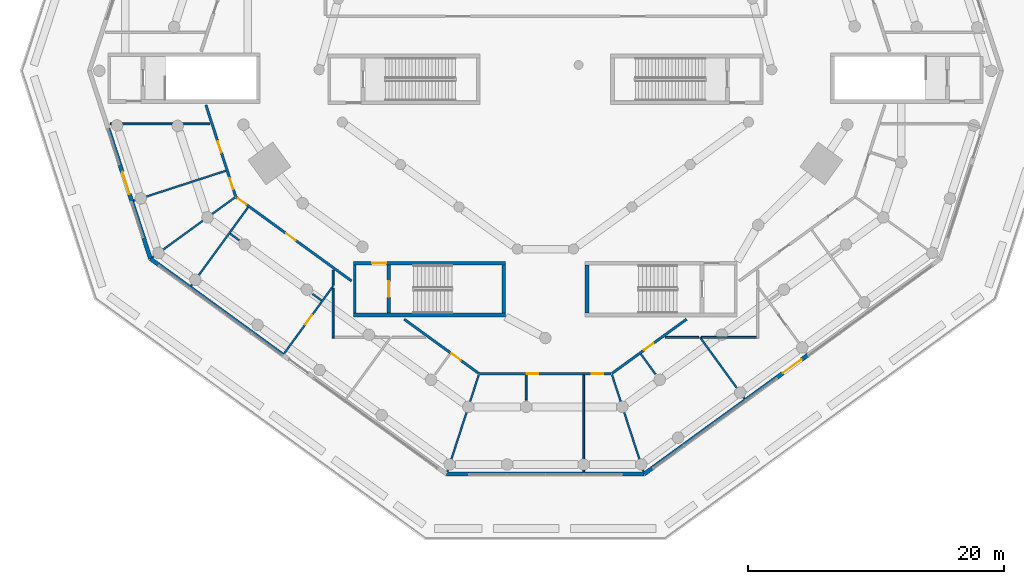
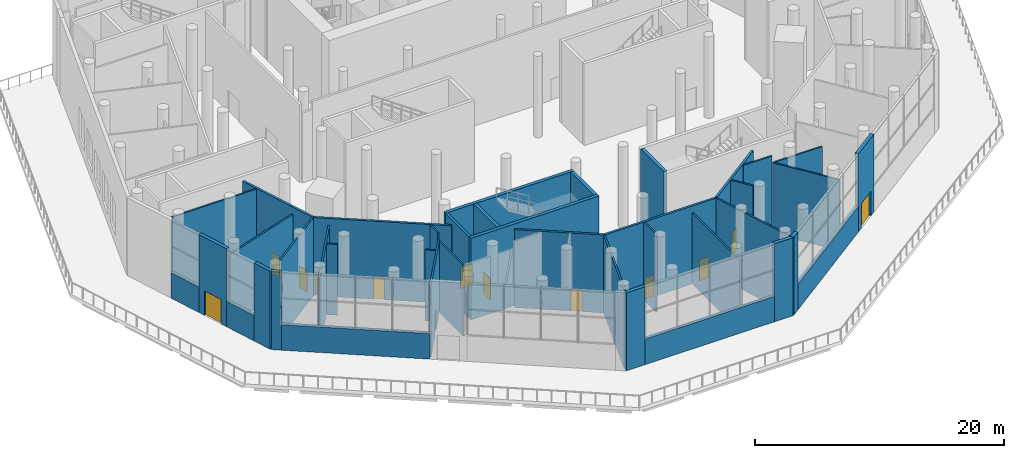
# One storey, part 11 of 23: 40 walls, 13 doors, 13 openings.
"""IFC4 building model written with IfcOpenShell, lengths in metres."""

from ifc_helpers import new_model, si_unit, direction, frame, frame_2d, origin, place, context, subcontext, project, spatial, rectangle, extrude, material, layer, layer_set, type_object, element, fill, save


model = new_model("IFC4")

# Units and contexts
model_context = context("Model", 3, precision=1e-05, world=origin(), true_north=direction((0.0, 1.0)))
body_context = subcontext(model_context, "Body", "Model", "MODEL_VIEW")
ifc_project = project(units=[si_unit("LENGTHUNIT", "METRE"), si_unit("AREAUNIT", "SQUARE_METRE"), si_unit("VOLUMEUNIT", "CUBIC_METRE"), si_unit("PLANEANGLEUNIT", "RADIAN"), si_unit("MASSUNIT", "GRAM", prefix="KILO")], contexts=[model_context])

# Site, building, storey
site_placement = place(None, origin())
site = spatial("IfcSite", under=ifc_project, at=site_placement, CompositionType="ELEMENT")
building_placement = place(site_placement, origin())
building = spatial("IfcBuilding", under=site, at=building_placement, Name="White Candle Pilgrim Tower", CompositionType="ELEMENT")
storey_placement = place(building_placement, frame((0.0, 0.0, 15.0)))
storey = spatial("IfcBuildingStorey", under=building, at=storey_placement, Name="L02", CompositionType="ELEMENT", Elevation=15.0)

# Walls
ifc_material_1 = material(Name="Concrete C70/85", Category="concrete")
ifc_layer_1 = layer(ifc_material_1, 0.199951171875)
ifc_layer_set_1 = layer_set([ifc_layer_1], Name="Core wall 200 mm Concrete C70/85")
wall_type_1 = type_object("IfcWallType", Name="Core wall 200 mm Concrete C70/85", PredefinedType="SHEAR", material=ifc_layer_set_1)
wall_1_placement = place(storey_placement, frame((55.10009765625, 41.60009765625, 0.0), z_axis=(0.0, 0.0, 1.0), x_axis=(0.0, 1.0, 0.0)))
element("IfcWall", 1, at=wall_1_placement, inside=storey, type_object=wall_type_1, Name="WL-L02-C03", PredefinedType="SHEAR", context=body_context, shape_type="SweptSolid", body=[
    extrude(rectangle(XDim=3.75, YDim=0.199951171875, at=frame_2d((1.875, 0.0))), origin(), (0.0, 0.0, 1.0), 8.0),
])
ifc_material_2 = material(Name="Precast concrete C40/50", Category="concrete")
ifc_layer_2 = layer(ifc_material_2, 0.320068359375)
ifc_layer_set_2 = layer_set([ifc_layer_2], Name="Facade wall EW3 precast concrete C40/50 and stone-faced podium wall")
wall_type_2 = type_object("IfcWallType", Name="Facade wall EW3 precast concrete C40/50 and stone-faced podium wall", PredefinedType="SOLIDWALL", material=ifc_layer_set_2)
wall_2_placement = place(storey_placement, frame((35.805908203125, 56.044189453125, 0.0), z_axis=(0.0, 0.0, 1.0), x_axis=(0.309065831784, -0.951040646673, 0.0)))
element("IfcWall", 2, at=wall_2_placement, inside=storey, type_object=wall_type_2, Name="Sill wall L02 W chamfer", PredefinedType="SOLIDWALL", context=body_context, shape_type="SweptSolid", body=[
    extrude(rectangle(XDim=3.000244140625, YDim=0.320068359375, at=frame_2d((1.5, 0.0))), origin(), (0.0, 0.0, 1.0), 2.5),
])

# Wall, opening, door
wall_3_placement = place(storey_placement, frame((36.733154296875, 53.19091796875, 0.0), z_axis=(0.0, 0.0, 1.0), x_axis=(0.308992226232, -0.951064563596, 0.0)))
wall_3 = element("IfcWall", 3, at=wall_3_placement, inside=storey, type_object=wall_type_2, Name="Facade wall L02 W chamfer", PredefinedType="SOLIDWALL", context=body_context, shape_type="SweptSolid", body=[
    extrude(rectangle(XDim=3.0, YDim=0.320068359375, at=frame_2d((1.5, 0.0))), origin(), (0.0, 0.0, 1.0), 7.64990234375),
])
opening_1_placement = place(wall_3_placement, frame((0.60009765625, 0.0, 0.0)))
opening_1 = element("IfcOpeningElement", 4, at=opening_1_placement, cuts=wall_3, Name="Opening L02-920", PredefinedType="OPENING", context=body_context, shape_type="SweptSolid", body=[
    extrude(rectangle(XDim=1.800048828125, YDim=2.39990234375, at=frame_2d((0.89990234375, 1.199951171875))), frame((0.0, 0.169921875, 0.0), z_axis=(0.0, -1.0, 0.0), x_axis=(1.0, 0.0, 0.0)), (0.0, 0.0, 1.0), 0.340087890625),
])
ifc_material_3 = material(Name="Timber frame with laminated glazing", Category="wood")
door_type_1 = type_object("IfcDoorType", Name="Terrace door EN4 1800x2400 double leaf glazed", OperationType="DOUBLE_DOOR_DOUBLE_SWING", PredefinedType="DOOR", material=ifc_material_3)
door_1_placement = place(opening_1_placement, origin())
door_1 = element("IfcDoor", 5, at=door_1_placement, inside=storey, type_object=door_type_1, Name="Door L02 W chamfer 3", OperationType="DOUBLE_DOOR_DOUBLE_SWING", OverallHeight=2.39990234375, OverallWidth=1.800048828125, PredefinedType="DOOR", context=body_context, shape_type="SweptSolid", body=[
    extrude(rectangle(XDim=1.800048828125, YDim=2.39990234375, at=frame_2d((0.89990234375, 1.199951171875))), frame((0.0, 0.0400390625, 0.0), z_axis=(0.0, -1.0, 0.0), x_axis=(1.0, 0.0, 0.0)), (0.0, 0.0, 1.0), 0.050048828125),
])
fill(opening_1, door_1)

# Walls
wall_4_placement = place(storey_placement, frame((37.66015625, 50.337646484375, 0.0), z_axis=(0.0, 0.0, 1.0), x_axis=(0.309016142662, -0.951056793033, 0.0)))
element("IfcWall", 6, at=wall_4_placement, inside=storey, type_object=wall_type_2, Name="Sill wall L02 W chamfer", PredefinedType="SOLIDWALL", context=body_context, shape_type="SweptSolid", body=[
    extrude(rectangle(XDim=2.999755859375, YDim=0.320068359375, at=frame_2d((1.5, 0.0))), origin(), (0.0, 0.0, 1.0), 2.5),
])
wall_5_placement = place(storey_placement, frame((38.587158203125, 47.484619140625, 0.0), z_axis=(0.0, 0.0, 1.0), x_axis=(0.309006126888, -0.951060047287, 0.0)))
element("IfcWall", 7, at=wall_5_placement, inside=storey, type_object=wall_type_2, Name="Facade wall L02 W chamfer", PredefinedType="SOLIDWALL", context=body_context, shape_type="SweptSolid", body=[
    extrude(rectangle(XDim=1.726318359375, YDim=0.320068359375, at=frame_2d((0.86328125, 0.0))), origin(), (0.0, 0.0, 1.0), 7.64990234375),
])
wall_6_placement = place(storey_placement, frame((39.12060546875, 45.8427734375, 0.0), z_axis=(0.0, 0.0, 1.0), x_axis=(0.808957761835, -0.587866770252, 0.0)))
element("IfcWall", 8, at=wall_6_placement, inside=storey, type_object=wall_type_2, Name="Facade wall L02 SW", PredefinedType="SOLIDWALL", context=body_context, shape_type="SweptSolid", body=[
    extrude(rectangle(XDim=0.809326171875, YDim=0.320068359375, at=frame_2d((0.40478515625, 0.0))), origin(), (0.0, 0.0, 1.0), 7.64990234375),
])
wall_7_placement = place(storey_placement, frame((39.775390625, 45.366943359375, 0.0), z_axis=(0.0, 0.0, 1.0), x_axis=(0.809016642472, -0.587785736645, 0.0)))
element("IfcWall", 9, at=wall_7_placement, inside=storey, type_object=wall_type_2, Name="Sill wall L02 SW", PredefinedType="SOLIDWALL", context=body_context, shape_type="SweptSolid", body=[
    extrude(rectangle(XDim=12.0, YDim=0.320068359375, at=frame_2d((6.0, 0.0))), origin(), (0.0, 0.0, 1.0), 2.5),
])
wall_8_placement = place(storey_placement, frame((62.273681640625, 29.02099609375, 0.0), z_axis=(0.0, 0.0, 1.0), x_axis=(1.0, 0.0, 0.0)))
element("IfcWall", 10, at=wall_8_placement, inside=storey, type_object=wall_type_2, Name="Facade wall L02 S chamfer", PredefinedType="SOLIDWALL", context=body_context, shape_type="SweptSolid", body=[
    extrude(rectangle(XDim=1.726318359375, YDim=0.320068359375, at=frame_2d((0.86328125, 0.0))), origin(), (0.0, 0.0, 1.0), 7.64990234375),
])
wall_9_placement = place(storey_placement, frame((64.0, 29.02099609375, 0.0), z_axis=(0.0, 0.0, 1.0), x_axis=(1.0, 0.0, 0.0)))
element("IfcWall", 11, at=wall_9_placement, inside=storey, type_object=wall_type_2, Name="Sill wall L02 S chamfer", PredefinedType="SOLIDWALL", context=body_context, shape_type="SweptSolid", body=[
    extrude(rectangle(XDim=12.0, YDim=0.320068359375, at=frame_2d((6.0, 0.0))), origin(), (0.0, 0.0, 1.0), 2.5),
])
wall_10_placement = place(storey_placement, frame((76.0, 29.02099609375, 0.0), z_axis=(0.0, 0.0, 1.0), x_axis=(1.0, 0.0, 0.0)))
element("IfcWall", 12, at=wall_10_placement, inside=storey, type_object=wall_type_2, Name="Facade wall L02 S chamfer", PredefinedType="SOLIDWALL", context=body_context, shape_type="SweptSolid", body=[
    extrude(rectangle(XDim=1.726318359375, YDim=0.320068359375, at=frame_2d((0.86328125, 0.0))), origin(), (0.0, 0.0, 1.0), 7.64990234375),
])
wall_11_placement = place(storey_placement, frame((77.726318359375, 29.02099609375, 0.0), z_axis=(0.0, 0.0, 1.0), x_axis=(0.808957761835, 0.587866770252, 0.0)))
element("IfcWall", 13, at=wall_11_placement, inside=storey, type_object=wall_type_2, Name="Facade wall L02 SE", PredefinedType="SOLIDWALL", context=body_context, shape_type="SweptSolid", body=[
    extrude(rectangle(XDim=0.809326171875, YDim=0.320068359375, at=frame_2d((0.40478515625, 0.0))), origin(), (0.0, 0.0, 1.0), 7.64990234375),
])
wall_12_placement = place(storey_placement, frame((78.381103515625, 29.496826171875, 0.0), z_axis=(0.0, 0.0, 1.0), x_axis=(0.809016642472, 0.587785736645, 0.0)))
element("IfcWall", 14, at=wall_12_placement, inside=storey, type_object=wall_type_2, Name="Sill wall L02 SE", PredefinedType="SOLIDWALL", context=body_context, shape_type="SweptSolid", body=[
    extrude(rectangle(XDim=12.0, YDim=0.320068359375, at=frame_2d((6.0, 0.0))), origin(), (0.0, 0.0, 1.0), 2.5),
])

# Wall, opening, door
wall_13_placement = place(storey_placement, frame((88.08935546875, 36.55029296875, 0.0), z_axis=(0.0, 0.0, 1.0), x_axis=(0.809038637837, 0.587755461469, 0.0)))
wall_13 = element("IfcWall", 15, at=wall_13_placement, inside=storey, type_object=wall_type_2, Name="Facade wall L02 SE", PredefinedType="SOLIDWALL", context=body_context, shape_type="SweptSolid", body=[
    extrude(rectangle(XDim=2.999755859375, YDim=0.320068359375, at=frame_2d((1.5, 0.0))), origin(), (0.0, 0.0, 1.0), 7.64990234375),
])
opening_2_placement = place(wall_13_placement, frame((0.60009765625, 0.0, 0.0)))
opening_2 = element("IfcOpeningElement", 16, at=opening_2_placement, cuts=wall_13, Name="Opening L02-922", PredefinedType="OPENING", context=body_context, shape_type="SweptSolid", body=[
    extrude(rectangle(XDim=1.800048828125, YDim=2.39990234375, at=frame_2d((0.89990234375, 1.199951171875))), frame((0.0, 0.169921875, 0.0), z_axis=(0.0, -1.0, 0.0), x_axis=(1.0, 0.0, 0.0)), (0.0, 0.0, 1.0), 0.340087890625),
])
door_2_placement = place(opening_2_placement, origin())
door_2 = element("IfcDoor", 17, at=door_2_placement, inside=storey, type_object=door_type_1, Name="Door L02 SE 5", OperationType="DOUBLE_DOOR_DOUBLE_SWING", OverallHeight=2.39990234375, OverallWidth=1.800048828125, PredefinedType="DOOR", context=body_context, shape_type="SweptSolid", body=[
    extrude(rectangle(XDim=1.800048828125, YDim=2.39990234375, at=frame_2d((0.89990234375, 1.199951171875))), frame((0.0, 0.0400390625, 0.0), z_axis=(0.0, -1.0, 0.0), x_axis=(1.0, 0.0, 0.0)), (0.0, 0.0, 1.0), 0.050048828125),
])
fill(opening_2, door_2)

ifc_material_4 = material(Name="Autoclaved aerated block D500, plastered")
ifc_layer_3 = layer(ifc_material_4, 0.199951171875)
ifc_layer_set_3 = layer_set([ifc_layer_3], Name="Hall enclosure wall 200 mm REI 240")
wall_type_3 = type_object("IfcWallType", Name="Hall enclosure wall 200 mm REI 240", PredefinedType="PARTITIONING", material=ifc_layer_set_3)
wall_14_placement = place(storey_placement, frame((64.794677734375, 36.880126953125, 0.0), z_axis=(0.0, 0.0, 1.0), x_axis=(-0.809015599229, 0.587787172542, 0.0)))
wall_14 = element("IfcWall", 18, at=wall_14_placement, inside=storey, type_object=wall_type_3, Name="WL-L02-P001", PredefinedType="PARTITIONING", context=body_context, shape_type="SweptSolid", body=[
    extrude(rectangle(XDim=7.2119140625, YDim=0.199951171875, at=frame_2d((3.60595703125, 0.0))), origin(), (0.0, 0.0, 1.0), 7.64990234375),
])
opening_3_placement = place(wall_14_placement, frame((1.74365234375, 0.0, 0.0)))
opening_3 = element("IfcOpeningElement", 19, at=opening_3_placement, cuts=wall_14, Name="Opening L02-108", PredefinedType="OPENING", context=body_context, shape_type="SweptSolid", body=[
    extrude(rectangle(XDim=0.89990234375, YDim=2.10009765625, at=frame_2d((0.449951171875, 1.050048828125))), frame((0.0, 0.10986328125, 0.0), z_axis=(0.0, -1.0, 0.0), x_axis=(1.0, 0.0, 0.0)), (0.0, 0.0, 1.0), 0.219970703125),
])
ifc_material_5 = material(Name="Steel door leaf", Category="steel")
door_type_2 = type_object("IfcDoorType", Name="Fire door 900 x 2100 EI 60", OperationType="NOTDEFINED", PredefinedType="DOOR", material=ifc_material_5)
door_3_placement = place(opening_3_placement, origin())
door_3 = element("IfcDoor", 20, at=door_3_placement, inside=storey, type_object=door_type_2, Name="Door L02-108", OperationType="SINGLE_SWING_RIGHT", OverallHeight=2.10009765625, OverallWidth=0.89990234375, PredefinedType="DOOR", context=body_context, shape_type="SweptSolid", body=[
    extrude(rectangle(XDim=0.89990234375, YDim=2.10009765625, at=frame_2d((0.449951171875, 1.050048828125))), frame((0.0, 0.02490234375, 0.0), z_axis=(0.0, -1.0, 0.0), x_axis=(1.0, 0.0, 0.0)), (0.0, 0.0, 1.0), 0.050048828125),
])
fill(opening_3, door_3)

# Wall, openings, doors
wall_15_placement = place(storey_placement, frame((54.84130859375, 44.11181640625, 0.0), z_axis=(0.0, 0.0, 1.0), x_axis=(-0.809025571226, 0.587773447089, 0.0)))
wall_15 = element("IfcWall", 21, at=wall_15_placement, inside=storey, type_object=wall_type_3, Name="WL-L02-P002", PredefinedType="PARTITIONING", context=body_context, shape_type="SweptSolid", body=[
    extrude(rectangle(XDim=11.15576171875, YDim=0.199951171875, at=frame_2d((5.577880859375, 0.0))), origin(), (0.0, 0.0, 1.0), 7.64990234375),
])
opening_4_placement = place(wall_15_placement, frame((10.1572265625, 0.0, 0.0)))
opening_4 = element("IfcOpeningElement", 22, at=opening_4_placement, cuts=wall_15, Name="Opening L02-106", PredefinedType="OPENING", context=body_context, shape_type="SweptSolid", body=[
    extrude(rectangle(XDim=0.800048828125, YDim=2.10009765625, at=frame_2d((0.39990234375, 1.050048828125))), frame((0.0, 0.10986328125, 0.0), z_axis=(0.0, -1.0, 0.0), x_axis=(1.0, 0.0, 0.0)), (0.0, 0.0, 1.0), 0.219970703125),
])
opening_5_placement = place(wall_15_placement, frame((5.40380859375, 0.0, 0.0)))
opening_5 = element("IfcOpeningElement", 23, at=opening_5_placement, cuts=wall_15, Name="Opening L02-107", PredefinedType="OPENING", context=body_context, shape_type="SweptSolid", body=[
    extrude(rectangle(XDim=0.89990234375, YDim=2.10009765625, at=frame_2d((0.449951171875, 1.050048828125))), frame((0.0, 0.10986328125, 0.0), z_axis=(0.0, -1.0, 0.0), x_axis=(1.0, 0.0, 0.0)), (0.0, 0.0, 1.0), 0.219970703125),
])
door_type_3 = type_object("IfcDoorType", Name="Fire door 800 x 2100 EI 60", OperationType="NOTDEFINED", PredefinedType="DOOR", material=ifc_material_5)
door_4_placement = place(opening_4_placement, origin())
door_4 = element("IfcDoor", 24, at=door_4_placement, inside=storey, type_object=door_type_3, Name="Door L02-106", OperationType="SINGLE_SWING_RIGHT", OverallHeight=2.10009765625, OverallWidth=0.800048828125, PredefinedType="DOOR", context=body_context, shape_type="SweptSolid", body=[
    extrude(rectangle(XDim=0.800048828125, YDim=2.10009765625, at=frame_2d((0.39990234375, 1.050048828125))), frame((0.0, 0.02490234375, 0.0), z_axis=(0.0, -1.0, 0.0), x_axis=(1.0, 0.0, 0.0)), (0.0, 0.0, 1.0), 0.050048828125),
])
fill(opening_4, door_4)
door_5_placement = place(opening_5_placement, origin())
door_5 = element("IfcDoor", 25, at=door_5_placement, inside=storey, type_object=door_type_2, Name="Door L02-107", OperationType="SINGLE_SWING_LEFT", OverallHeight=2.10009765625, OverallWidth=0.89990234375, PredefinedType="DOOR", context=body_context, shape_type="SweptSolid", body=[
    extrude(rectangle(XDim=0.89990234375, YDim=2.10009765625, at=frame_2d((0.449951171875, 1.050048828125))), frame((0.0, 0.02490234375, 0.0), z_axis=(0.0, -1.0, 0.0), x_axis=(1.0, 0.0, 0.0)), (0.0, 0.0, 1.0), 0.050048828125),
])
fill(opening_5, door_5)

wall_16_placement = place(storey_placement, frame((45.77978515625, 50.718994140625, 0.0), z_axis=(0.0, 0.0, 1.0), x_axis=(-0.309019251854, 0.951055782793, 0.0)))
wall_16 = element("IfcWall", 26, at=wall_16_placement, inside=storey, type_object=wall_type_3, Name="WL-L02-P003", PredefinedType="PARTITIONING", context=body_context, shape_type="SweptSolid", body=[
    extrude(rectangle(XDim=7.51806640625, YDim=0.199951171875, at=frame_2d((3.759033203125, 0.0))), origin(), (0.0, 0.0, 1.0), 7.64990234375),
])
opening_6_placement = place(wall_16_placement, frame((3.60986328125, 0.0, 0.0)))
opening_6 = element("IfcOpeningElement", 27, at=opening_6_placement, cuts=wall_16, Name="Opening L02-104", PredefinedType="OPENING", context=body_context, shape_type="SweptSolid", body=[
    extrude(rectangle(XDim=0.89990234375, YDim=2.10009765625, at=frame_2d((0.449951171875, 1.050048828125))), frame((0.0, 0.10986328125, 0.0), z_axis=(0.0, -1.0, 0.0), x_axis=(1.0, 0.0, 0.0)), (0.0, 0.0, 1.0), 0.219970703125),
])
opening_7_placement = place(wall_16_placement, frame((0.60693359375, 0.0, 0.0)))
opening_7 = element("IfcOpeningElement", 28, at=opening_7_placement, cuts=wall_16, Name="Opening L02-105", PredefinedType="OPENING", context=body_context, shape_type="SweptSolid", body=[
    extrude(rectangle(XDim=0.89990234375, YDim=2.10009765625, at=frame_2d((0.449951171875, 1.050048828125))), frame((0.0, 0.10986328125, 0.0), z_axis=(0.0, -1.0, 0.0), x_axis=(1.0, 0.0, 0.0)), (0.0, 0.0, 1.0), 0.219970703125),
])
door_6_placement = place(opening_6_placement, origin())
door_6 = element("IfcDoor", 29, at=door_6_placement, inside=storey, type_object=door_type_2, Name="Door L02-104", OperationType="SINGLE_SWING_RIGHT", OverallHeight=2.10009765625, OverallWidth=0.89990234375, PredefinedType="DOOR", context=body_context, shape_type="SweptSolid", body=[
    extrude(rectangle(XDim=0.89990234375, YDim=2.10009765625, at=frame_2d((0.449951171875, 1.050048828125))), frame((0.0, 0.02490234375, 0.0), z_axis=(0.0, -1.0, 0.0), x_axis=(1.0, 0.0, 0.0)), (0.0, 0.0, 1.0), 0.050048828125),
])
fill(opening_6, door_6)
door_7_placement = place(opening_7_placement, origin())
door_7 = element("IfcDoor", 30, at=door_7_placement, inside=storey, type_object=door_type_2, Name="Door L02-105", OperationType="SINGLE_SWING_LEFT", OverallHeight=2.10009765625, OverallWidth=0.89990234375, PredefinedType="DOOR", context=body_context, shape_type="SweptSolid", body=[
    extrude(rectangle(XDim=0.89990234375, YDim=2.10009765625, at=frame_2d((0.449951171875, 1.050048828125))), frame((0.0, 0.02490234375, 0.0), z_axis=(0.0, -1.0, 0.0), x_axis=(1.0, 0.0, 0.0)), (0.0, 0.0, 1.0), 0.050048828125),
])
fill(opening_7, door_7)

# Wall, opening, door
wall_17_placement = place(storey_placement, frame((81.039794921875, 41.119140625, 0.0), z_axis=(0.0, 0.0, 1.0), x_axis=(-0.809015599229, -0.587787172542, 0.0)))
wall_17 = element("IfcWall", 31, at=wall_17_placement, inside=storey, type_object=wall_type_3, Name="WL-L02-P012", PredefinedType="PARTITIONING", context=body_context, shape_type="SweptSolid", body=[
    extrude(rectangle(XDim=7.2119140625, YDim=0.199951171875, at=frame_2d((3.60595703125, 0.0))), origin(), (0.0, 0.0, 1.0), 7.64990234375),
])
opening_8_placement = place(wall_17_placement, frame((3.197998046875, 0.0, 0.0)))
opening_8 = element("IfcOpeningElement", 32, at=opening_8_placement, cuts=wall_17, Name="Opening L02-111", PredefinedType="OPENING", context=body_context, shape_type="SweptSolid", body=[
    extrude(rectangle(XDim=0.89990234375, YDim=2.10009765625, at=frame_2d((0.449951171875, 1.050048828125))), frame((0.0, 0.10986328125, 0.0), z_axis=(0.0, -1.0, 0.0), x_axis=(1.0, 0.0, 0.0)), (0.0, 0.0, 1.0), 0.219970703125),
])
door_8_placement = place(opening_8_placement, origin())
door_8 = element("IfcDoor", 33, at=door_8_placement, inside=storey, type_object=door_type_2, Name="Door L02-111", OperationType="SINGLE_SWING_LEFT", OverallHeight=2.10009765625, OverallWidth=0.89990234375, PredefinedType="DOOR", context=body_context, shape_type="SweptSolid", body=[
    extrude(rectangle(XDim=0.89990234375, YDim=2.10009765625, at=frame_2d((0.449951171875, 1.050048828125))), frame((0.0, 0.02490234375, 0.0), z_axis=(0.0, -1.0, 0.0), x_axis=(1.0, 0.0, 0.0)), (0.0, 0.0, 1.0), 0.050048828125),
])
fill(opening_8, door_8)

# Wall, openings, doors
wall_18_placement = place(storey_placement, frame((75.146484375, 36.861083984375, 0.0), z_axis=(0.0, 0.0, 1.0), x_axis=(-1.0, 0.0, 0.0)))
wall_18 = element("IfcWall", 34, at=wall_18_placement, inside=storey, type_object=wall_type_3, Name="WL-L02-P013", PredefinedType="PARTITIONING", context=body_context, shape_type="SweptSolid", body=[
    extrude(rectangle(XDim=10.29296875, YDim=0.199951171875, at=frame_2d((5.146484375, 0.0))), origin(), (0.0, 0.0, 1.0), 7.64990234375),
])
opening_9_placement = place(wall_18_placement, frame((5.7109375, 0.0, 0.0)))
opening_9 = element("IfcOpeningElement", 35, at=opening_9_placement, cuts=wall_18, Name="Opening L02-109", PredefinedType="OPENING", context=body_context, shape_type="SweptSolid", body=[
    extrude(rectangle(XDim=0.89990234375, YDim=2.10009765625, at=frame_2d((0.449951171875, 1.050048828125))), frame((0.0, 0.10986328125, 0.0), z_axis=(0.0, -1.0, 0.0), x_axis=(1.0, 0.0, 0.0)), (0.0, 0.0, 1.0), 0.219970703125),
])
opening_10_placement = place(wall_18_placement, frame((0.60693359375, 0.0, 0.0)))
opening_10 = element("IfcOpeningElement", 36, at=opening_10_placement, cuts=wall_18, Name="Opening L02-110", PredefinedType="OPENING", context=body_context, shape_type="SweptSolid", body=[
    extrude(rectangle(XDim=0.89990234375, YDim=2.10009765625, at=frame_2d((0.449951171875, 1.050048828125))), frame((0.0, 0.10986328125, 0.0), z_axis=(0.0, -1.0, 0.0), x_axis=(1.0, 0.0, 0.0)), (0.0, 0.0, 1.0), 0.219970703125),
])
door_9_placement = place(opening_9_placement, origin())
door_9 = element("IfcDoor", 37, at=door_9_placement, inside=storey, type_object=door_type_2, Name="Door L02-109", OperationType="SINGLE_SWING_LEFT", OverallHeight=2.10009765625, OverallWidth=0.89990234375, PredefinedType="DOOR", context=body_context, shape_type="SweptSolid", body=[
    extrude(rectangle(XDim=0.89990234375, YDim=2.10009765625, at=frame_2d((0.449951171875, 1.050048828125))), frame((0.0, 0.02490234375, 0.0), z_axis=(0.0, -1.0, 0.0), x_axis=(1.0, 0.0, 0.0)), (0.0, 0.0, 1.0), 0.050048828125),
])
fill(opening_9, door_9)
door_10_placement = place(opening_10_placement, origin())
door_10 = element("IfcDoor", 38, at=door_10_placement, inside=storey, type_object=door_type_2, Name="Door L02-110", OperationType="SINGLE_SWING_RIGHT", OverallHeight=2.10009765625, OverallWidth=0.89990234375, PredefinedType="DOOR", context=body_context, shape_type="SweptSolid", body=[
    extrude(rectangle(XDim=0.89990234375, YDim=2.10009765625, at=frame_2d((0.449951171875, 1.050048828125))), frame((0.0, 0.02490234375, 0.0), z_axis=(0.0, -1.0, 0.0), x_axis=(1.0, 0.0, 0.0)), (0.0, 0.0, 1.0), 0.050048828125),
])
fill(opening_10, door_10)

# Walls
ifc_material_6 = material(Name="Gypsum board on steel studs", Category="steel")
ifc_layer_4 = layer(ifc_material_6, 0.14990234375)
ifc_layer_set_4 = layer_set([ifc_layer_4], Name="Partition 150 mm EI 60")
wall_type_4 = type_object("IfcWallType", Name="Partition 150 mm EI 60", PredefinedType="PARTITIONING", material=ifc_layer_set_4)
for number, where, z_axis, x_axis, name in (
    (39, (39.2568359375, 45.941650390625, 0.0), (0.0, 0.0, 1.0), (0.80901214883, 0.587791921556, 0.0), "WL-L02-P014"),
    (40, (62.32568359375, 29.18115234375, 0.0), (0.0, 0.0, 1.0), (0.309004544659, 0.951060561363, 0.0), "WL-L02-P015"),
    (41, (77.67431640625, 29.18115234375, 0.0), (0.0, 0.0, 1.0), (-0.309004544659, 0.951060561363, 0.0), "WL-L02-P016"),
):
    element("IfcWall", number, at=place(storey_placement, frame(where, z_axis=z_axis, x_axis=x_axis)), inside=storey, type_object=wall_type_4, Name=name, PredefinedType="PARTITIONING", context=body_context, shape_type="SweptSolid", body=[
        extrude(rectangle(XDim=7.990234375, YDim=0.14990234375, at=frame_2d((3.9951171875, 0.0))), origin(), (0.0, 0.0, 1.0), 7.64990234375),
    ])
for number, where, z_axis, x_axis, name in (
    (42, (37.812255859375, 50.38720703125, 0.0), (0.0, 0.0, 1.0), (0.951058681979, 0.309010329007, 0.0), "WL-L02-P020"),
    (43, (42.29638671875, 43.733154296875, 0.0), (0.0, 0.0, 1.0), (0.587800109381, 0.80900619986, 0.0), "WL-L02-P021"),
):
    element("IfcWall", number, at=place(storey_placement, frame(where, z_axis=z_axis, x_axis=x_axis)), inside=storey, type_object=wall_type_4, Name=name, PredefinedType="PARTITIONING", context=body_context, shape_type="SweptSolid", body=[
        extrude(rectangle(XDim=7.580078125, YDim=0.14990234375, at=frame_2d((3.7900390625, 0.0))), origin(), (0.0, 0.0, 1.0), 6.949951171875),
    ])

# Wall, opening, door
wall_19_placement = place(storey_placement, frame((49.57763671875, 38.443115234375, 0.0), z_axis=(0.0, 0.0, 1.0), x_axis=(0.587778742149, 0.809021724231, 0.0)))
wall_19 = element("IfcWall", 44, at=wall_19_placement, inside=storey, type_object=wall_type_4, Name="WL-L02-P022", PredefinedType="PARTITIONING", context=body_context, shape_type="SweptSolid", body=[
    extrude(rectangle(XDim=6.5029296875, YDim=0.14990234375, at=frame_2d((3.25146484375, 0.0))), origin(), (0.0, 0.0, 1.0), 6.949951171875),
])
opening_11_placement = place(wall_19_placement, frame((2.801513671875, 0.0, 0.0)))
opening_11 = element("IfcOpeningElement", 45, at=opening_11_placement, cuts=wall_19, Name="Opening L02-124", PredefinedType="OPENING", context=body_context, shape_type="SweptSolid", body=[
    extrude(rectangle(XDim=0.89990234375, YDim=2.10009765625, at=frame_2d((0.449951171875, 1.050048828125))), frame((0.0, 0.0849609375, 0.0), z_axis=(0.0, -1.0, 0.0), x_axis=(1.0, 0.0, 0.0)), (0.0, 0.0, 1.0), 0.169921875),
])
door_type_4 = type_object("IfcDoorType", Name="Fire door 900 x 2100 EI 30", OperationType="NOTDEFINED", PredefinedType="DOOR", material=ifc_material_5)
door_11_placement = place(opening_11_placement, frame((0.89990234375, 0.0, 0.0), z_axis=(0.0, 0.0, 1.0), x_axis=(-1.0, 0.0, 0.0)))
door_11 = element("IfcDoor", 46, at=door_11_placement, inside=storey, type_object=door_type_4, Name="Door L02-124", OperationType="SINGLE_SWING_LEFT", OverallHeight=2.10009765625, OverallWidth=0.89990234375, PredefinedType="DOOR", context=body_context, shape_type="SweptSolid", body=[
    extrude(rectangle(XDim=0.89990234375, YDim=2.10009765625, at=frame_2d((0.449951171875, 1.050048828125))), frame((0.0, 0.02490234375, 0.0), z_axis=(0.0, -1.0, 0.0), x_axis=(1.0, 0.0, 0.0)), (0.0, 0.0, 1.0), 0.050048828125),
])
fill(opening_11, door_11)

# Walls
wall_20_placement = place(storey_placement, frame((73.0, 29.18115234375, 0.0), z_axis=(0.0, 0.0, 1.0), x_axis=(0.0, 1.0, 0.0)))
element("IfcWall", 47, at=wall_20_placement, inside=storey, type_object=wall_type_4, Name="WL-L02-P024", PredefinedType="PARTITIONING", context=body_context, shape_type="SweptSolid", body=[
    extrude(rectangle(XDim=7.579833984375, YDim=0.14990234375, at=frame_2d((3.7900390625, 0.0))), origin(), (0.0, 0.0, 1.0), 6.949951171875),
])
wall_21_placement = place(storey_placement, frame((85.568115234375, 34.916259765625, 0.0), z_axis=(0.0, 0.0, 1.0), x_axis=(-0.587761624616, 0.80903416036, 0.0)))
element("IfcWall", 48, at=wall_21_placement, inside=storey, type_object=wall_type_4, Name="WL-L02-P025", PredefinedType="PARTITIONING", context=body_context, shape_type="SweptSolid", body=[
    extrude(rectangle(XDim=5.912841796875, YDim=0.14990234375, at=frame_2d((2.95654296875, 0.0))), origin(), (0.0, 0.0, 1.0), 6.949951171875),
])
wall_22_placement = place(storey_placement, frame((46.06591796875, 47.28759765625, 0.0), z_axis=(0.0, 0.0, 1.0), x_axis=(-0.809105603792, 0.587663272557, 0.0)))
element("IfcWall", 49, at=wall_22_placement, inside=storey, type_object=wall_type_4, Name="WL-L02-P034", PredefinedType="PARTITIONING", context=body_context, shape_type="SweptSolid", body=[
    extrude(rectangle(XDim=0.88525390625, YDim=0.14990234375, at=frame_2d((0.442626953125, 0.0))), origin(), (0.0, 0.0, 1.0), 6.949951171875),
])
wall_23_placement = place(storey_placement, frame((51.780029296875, 43.107421875, 0.0), z_axis=(0.0, 0.0, 1.0), x_axis=(0.809141502874, -0.587613842865, 0.0)))
element("IfcWall", 50, at=wall_23_placement, inside=storey, type_object=wall_type_4, Name="WL-L02-P035", PredefinedType="PARTITIONING", context=body_context, shape_type="SweptSolid", body=[
    extrude(rectangle(XDim=0.885009765625, YDim=0.14990234375, at=frame_2d((0.4423828125, 0.0))), origin(), (0.0, 0.0, 1.0), 6.949951171875),
])
wall_24_placement = place(storey_placement, frame((68.497802734375, 34.801025390625, 0.0), z_axis=(0.0, 0.0, 1.0), x_axis=(0.0, 1.0, 0.0)))
element("IfcWall", 51, at=wall_24_placement, inside=storey, type_object=wall_type_4, Name="WL-L02-P037", PredefinedType="PARTITIONING", context=body_context, shape_type="SweptSolid", body=[
    extrude(rectangle(XDim=1.9599609375, YDim=0.14990234375, at=frame_2d((0.97998046875, 0.0))), origin(), (0.0, 0.0, 1.0), 7.64990234375),
])
wall_25_placement = place(storey_placement, frame((78.615478515625, 36.81103515625, 0.0), z_axis=(0.0, 0.0, 1.0), x_axis=(-0.587675470877, 0.809096743863, 0.0)))
element("IfcWall", 52, at=wall_25_placement, inside=storey, type_object=wall_type_4, Name="WL-L02-P038", PredefinedType="PARTITIONING", context=body_context, shape_type="SweptSolid", body=[
    extrude(rectangle(XDim=1.96044921875, YDim=0.14990234375, at=frame_2d((0.980224609375, 0.0))), origin(), (0.0, 0.0, 1.0), 7.64990234375),
])
wall_26_placement = place(storey_placement, frame((53.39990234375, 43.5341796875, 0.0), z_axis=(0.0, 0.0, 1.0), x_axis=(0.0, -1.0, 0.0)))
element("IfcWall", 53, at=wall_26_placement, inside=storey, type_object=wall_type_4, Name="WL-L02-P047", PredefinedType="PARTITIONING", context=body_context, shape_type="SweptSolid", body=[
    extrude(rectangle(XDim=3.894287109375, YDim=0.14990234375, at=frame_2d((1.947265625, 0.0))), origin(), (0.0, 0.0, 1.0), 6.949951171875),
])
wall_27_placement = place(storey_placement, frame((53.39990234375, 44.961181640625, 0.0), z_axis=(0.0, 0.0, 1.0), x_axis=(0.0, -1.0, 0.0)))
element("IfcWall", 54, at=wall_27_placement, inside=storey, type_object=wall_type_4, Name="WL-L02-P049", PredefinedType="PARTITIONING", context=body_context, shape_type="SweptSolid", body=[
    extrude(rectangle(XDim=1.182861328125, YDim=0.14990234375, at=frame_2d((0.59130859375, 0.0))), origin(), (0.0, 0.0, 1.0), 7.64990234375),
])
wall_28_placement = place(storey_placement, frame((35.995361328125, 56.39990234375, 0.0), z_axis=(0.0, 0.0, 1.0), x_axis=(1.0, 0.0, 0.0)))
element("IfcWall", 55, at=wall_28_placement, inside=storey, type_object=wall_type_4, Name="WL-L02-P050", PredefinedType="PARTITIONING", context=body_context, shape_type="SweptSolid", body=[
    extrude(rectangle(XDim=7.770263671875, YDim=0.14990234375, at=frame_2d((3.88525390625, 0.0))), origin(), (0.0, 0.0, 1.0), 7.64990234375),
])
wall_29_placement = place(storey_placement, frame((82.199462890625, 39.699951171875, 0.0), z_axis=(0.0, 0.0, 1.0), x_axis=(1.0, 0.0, 0.0)))
element("IfcWall", 56, at=wall_29_placement, inside=storey, type_object=wall_type_4, Name="WL-L02-P063", PredefinedType="PARTITIONING", context=body_context, shape_type="SweptSolid", body=[
    extrude(rectangle(XDim=4.46044921875, YDim=0.14990234375, at=frame_2d((2.230224609375, 0.0))), origin(), (0.0, 0.0, 1.0), 6.949951171875),
])
wall_30_placement = place(storey_placement, frame((79.358642578125, 39.699951171875, 0.0), z_axis=(0.0, 0.0, 1.0), x_axis=(1.0, 0.0, 0.0)))
element("IfcWall", 57, at=wall_30_placement, inside=storey, type_object=wall_type_4, Name="WL-L02-P065", PredefinedType="PARTITIONING", context=body_context, shape_type="SweptSolid", body=[
    extrude(rectangle(XDim=2.6328125, YDim=0.14990234375, at=frame_2d((1.31640625, 0.0))), origin(), (0.0, 0.0, 1.0), 7.64990234375),
])
ifc_layer_5 = layer(ifc_material_1, 0.300048828125)
ifc_layer_set_5 = layer_set([ifc_layer_5], Name="Stair shaft wall 300 mm Concrete C70/85")
wall_type_5 = type_object("IfcWallType", Name="Stair shaft wall 300 mm Concrete C70/85", PredefinedType="SHEAR", material=ifc_layer_set_5)
wall_31_placement = place(storey_placement, frame((55.0, 41.449951171875, 0.0), z_axis=(0.0, 0.0, 1.0), x_axis=(1.0, 0.0, 0.0)))
element("IfcWall", 58, at=wall_31_placement, inside=storey, type_object=wall_type_5, Name="WL-L02-C01", PredefinedType="SHEAR", context=body_context, shape_type="SweptSolid", body=[
    extrude(rectangle(XDim=11.89990234375, YDim=0.300048828125, at=frame_2d((5.949951171875, 0.0))), origin(), (0.0, 0.0, 1.0), 8.0),
])

# Wall, opening, door
wall_32_placement = place(storey_placement, frame((57.75, 41.60009765625, 0.0), z_axis=(0.0, 0.0, 1.0), x_axis=(0.0, 1.0, 0.0)))
wall_32 = element("IfcWall", 59, at=wall_32_placement, inside=storey, type_object=wall_type_5, Name="WL-L02-C04", PredefinedType="SHEAR", context=body_context, shape_type="SweptSolid", body=[
    extrude(rectangle(XDim=3.75, YDim=0.300048828125, at=frame_2d((1.875, 0.0))), origin(), (0.0, 0.0, 1.0), 8.0),
])
opening_12_placement = place(wall_32_placement, frame((1.27490234375, 0.0, 0.0)))
opening_12 = element("IfcOpeningElement", 60, at=opening_12_placement, cuts=wall_32, Name="Opening L02-012", PredefinedType="OPENING", context=body_context, shape_type="SweptSolid", body=[
    extrude(rectangle(XDim=1.199951171875, YDim=2.10009765625, at=frame_2d((0.60009765625, 1.050048828125))), frame((0.0, 0.159912109375, 0.0), z_axis=(0.0, -1.0, 0.0), x_axis=(1.0, 0.0, 0.0)), (0.0, 0.0, 1.0), 0.320068359375),
])
door_type_5 = type_object("IfcDoorType", Name="Fire door 1200 x 2100 EI 60", OperationType="NOTDEFINED", PredefinedType="DOOR", material=ifc_material_5)
door_12_placement = place(opening_12_placement, frame((1.199951171875, 0.0, 0.0), z_axis=(0.0, 0.0, 1.0), x_axis=(-1.0, 0.0, 0.0)))
door_12 = element("IfcDoor", 61, at=door_12_placement, inside=storey, type_object=door_type_5, Name="Door L02-012", OperationType="SINGLE_SWING_LEFT", OverallHeight=2.10009765625, OverallWidth=1.199951171875, PredefinedType="DOOR", context=body_context, shape_type="SweptSolid", body=[
    extrude(rectangle(XDim=1.199951171875, YDim=2.10009765625, at=frame_2d((0.60009765625, 1.050048828125))), frame((0.0, 0.02490234375, 0.0), z_axis=(0.0, -1.0, 0.0), x_axis=(1.0, 0.0, 0.0)), (0.0, 0.0, 1.0), 0.050048828125),
])
fill(opening_12, door_12)

# Walls
for number, where, z_axis, x_axis, name in (
    (62, (66.75, 41.60009765625, 0.0), (0.0, 0.0, 1.0), (0.0, 1.0, 0.0), "WL-L02-C05"),
    (63, (73.25, 41.60009765625, 0.0), (0.0, 0.0, 1.0), (0.0, 1.0, 0.0), "WL-L02-C06"),
):
    element("IfcWall", number, at=place(storey_placement, frame(where, z_axis=z_axis, x_axis=x_axis)), inside=storey, type_object=wall_type_5, Name=name, PredefinedType="SHEAR", context=body_context, shape_type="SweptSolid", body=[
        extrude(rectangle(XDim=3.75, YDim=0.300048828125, at=frame_2d((1.875, 0.0))), origin(), (0.0, 0.0, 1.0), 8.0),
    ])

# Wall, opening, door
wall_33_placement = place(storey_placement, frame((55.0, 45.5, 0.0), z_axis=(0.0, 0.0, 1.0), x_axis=(1.0, 0.0, 0.0)))
wall_33 = element("IfcWall", 64, at=wall_33_placement, inside=storey, type_object=wall_type_5, Name="WL-L02-C09", PredefinedType="SHEAR", context=body_context, shape_type="SweptSolid", body=[
    extrude(rectangle(XDim=11.89990234375, YDim=0.300048828125, at=frame_2d((5.949951171875, 0.0))), origin(), (0.0, 0.0, 1.0), 8.0),
])
opening_13_placement = place(wall_33_placement, frame((1.449951171875, 0.0, 0.0)))
opening_13 = element("IfcOpeningElement", 65, at=opening_13_placement, cuts=wall_33, Name="Opening L02-011", PredefinedType="OPENING", context=body_context, shape_type="SweptSolid", body=[
    extrude(rectangle(XDim=1.10009765625, YDim=2.10009765625, at=frame_2d((0.550048828125, 1.050048828125))), frame((0.0, 0.159912109375, 0.0), z_axis=(0.0, -1.0, 0.0), x_axis=(1.0, 0.0, 0.0)), (0.0, 0.0, 1.0), 0.320068359375),
])
door_type_6 = type_object("IfcDoorType", Name="Fire door 1100 x 2100 EI 60", OperationType="NOTDEFINED", PredefinedType="DOOR", material=ifc_material_5)
door_13_placement = place(opening_13_placement, frame((1.10009765625, 0.0, 0.0), z_axis=(0.0, 0.0, 1.0), x_axis=(-1.0, 0.0, 0.0)))
door_13 = element("IfcDoor", 66, at=door_13_placement, inside=storey, type_object=door_type_6, Name="Door L02-011", OperationType="SINGLE_SWING_RIGHT", OverallHeight=2.10009765625, OverallWidth=1.10009765625, PredefinedType="DOOR", context=body_context, shape_type="SweptSolid", body=[
    extrude(rectangle(XDim=1.10009765625, YDim=2.10009765625, at=frame_2d((0.550048828125, 1.050048828125))), frame((0.0, 0.02490234375, 0.0), z_axis=(0.0, -1.0, 0.0), x_axis=(1.0, 0.0, 0.0)), (0.0, 0.0, 1.0), 0.050048828125),
])
fill(opening_13, door_13)

save(model, "model.ifc")
